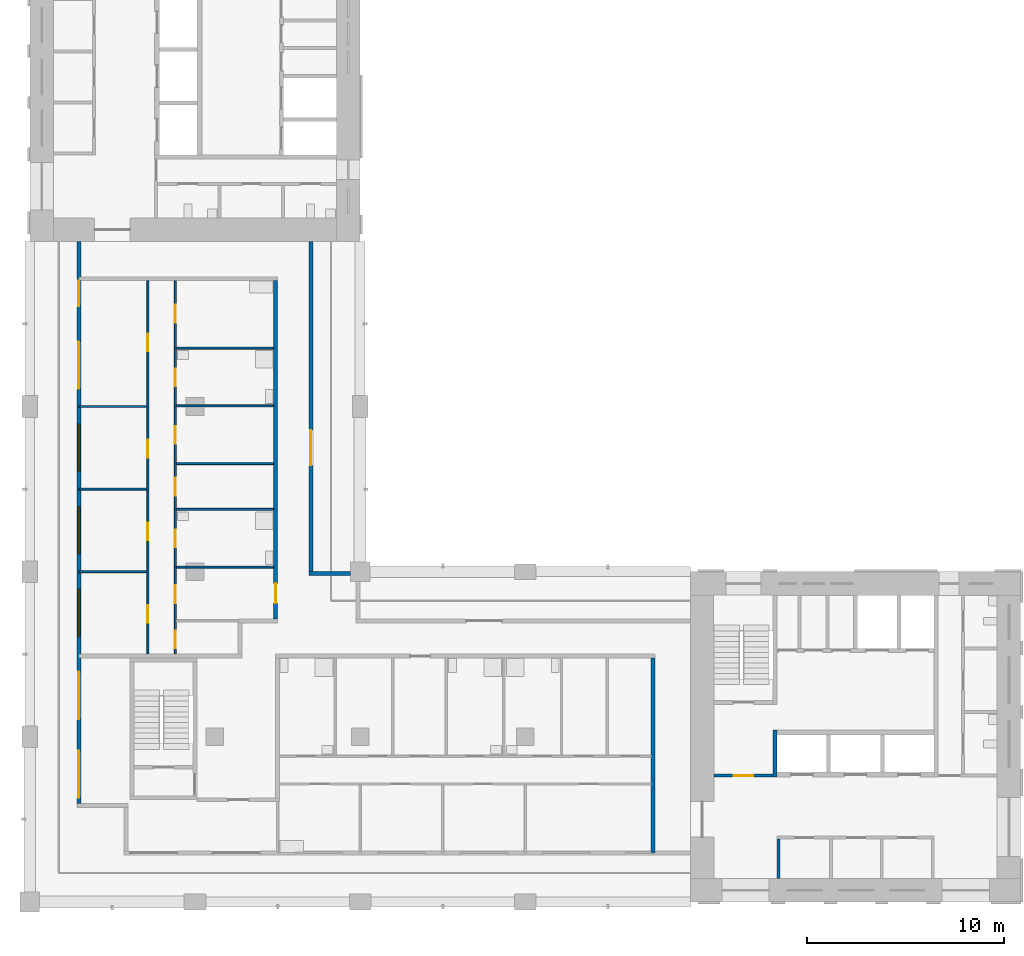
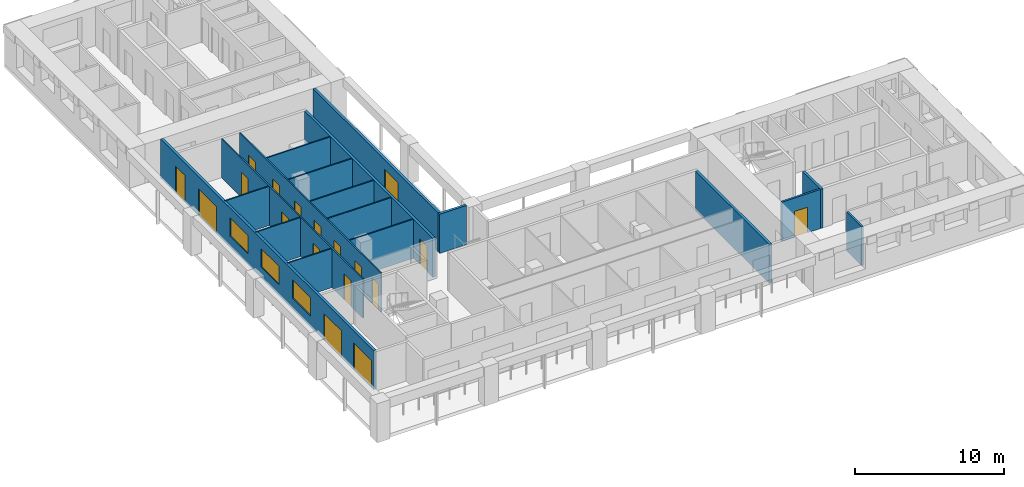
# One storey, part 3 of 10: 18 doors, 18 walls, 3 windows, 21 openings.
"""IFC4 building model written with IfcOpenShell, lengths in metres."""

import ifcopenshell
import ifcopenshell.guid

model = None  # the IFC model being written
_history = None  # IfcOwnerHistory: only IFC2X3 demands one
_inside = {}  # id of a spatial element -> (the spatial element, [elements in it])
_under = {}  # id of a project, library or spatial element -> (it, [spatial elements below it])
_declared = {}  # id of a project -> (the project, [libraries it declares])
_typed = {}  # id of a type object -> (the type object, [elements of that type])
_made_of = {}  # id of a material, layer set ... -> (it, [elements and type objects made of it])


def new_model(schema):
    """Start an empty IFC model of exactly this schema.

    Asked for "IFC4X3", IfcOpenShell would pick the latest addendum, in which some entities
    have other attributes; the version numbers below select the first issue.
    IFC2X3 requires an IfcOwnerHistory on every rooted entity: one is made here for all.
    """
    global model, _history
    if schema == "IFC4X3":
        model = ifcopenshell.file(schema_version=(4, 3, 0, 0))
    else:
        model = ifcopenshell.file(schema=schema)
    _inside.clear()
    _under.clear()
    _declared.clear()
    _typed.clear()
    _made_of.clear()
    _history = None
    if model.schema == "IFC2X3":
        org = make("IfcOrganization", Name="unknown")
        user = make(
            "IfcPersonAndOrganization",
            ThePerson=make("IfcPerson", FamilyName="unknown"),
            TheOrganization=org,
        )
        app = make(
            "IfcApplication",
            ApplicationDeveloper=org,
            Version="unknown",
            ApplicationFullName="unknown",
            ApplicationIdentifier="unknown",
        )
        _history = make(
            "IfcOwnerHistory",
            OwningUser=user,
            OwningApplication=app,
            ChangeAction="ADDED",
            CreationDate=0,
        )
    return model


def make(cls, **values):
    """One entity of the class cls with the attributes given. An attribute that is None is left unset."""
    return model.create_entity(
        cls, **{name: value for name, value in values.items() if value is not None}
    )


def rooted(cls, **values):
    """An entity with a GlobalId (a new one), such as an element, a storey or a relation."""
    return make(cls, GlobalId=ifcopenshell.guid.new(), OwnerHistory=_history, **values)


def si_unit(unit_type, name, prefix=None):
    """IfcSIUnit, for example si_unit("LENGTHUNIT", "METRE", prefix="MILLI")."""
    return make("IfcSIUnit", UnitType=unit_type, Prefix=prefix, Name=name)


def assignment(units):
    """IfcUnitAssignment: the units of a project."""
    return None if units is None else make("IfcUnitAssignment", Units=units)


def point(xyz):
    """IfcCartesianPoint."""
    return None if xyz is None else make("IfcCartesianPoint", Coordinates=xyz)


def direction(xyz):
    """IfcDirection."""
    return None if xyz is None else make("IfcDirection", DirectionRatios=xyz)


def frame(location, z_axis=None, x_axis=None):
    """IfcAxis2Placement3D, a coordinate frame: its origin and axes. An axis left out is left unset."""
    return make(
        "IfcAxis2Placement3D",
        Location=point(location),
        Axis=direction(z_axis),
        RefDirection=direction(x_axis),
    )


def frame_2d(location, x_axis=None):
    """IfcAxis2Placement2D, a coordinate frame in the plane: its origin and x axis."""
    return make(
        "IfcAxis2Placement2D", Location=point(location), RefDirection=direction(x_axis)
    )


def origin():
    """The frame at (0, 0, 0) with its axes left unset."""
    return frame((0.0, 0.0, 0.0))


def place(relative_to, where):
    """IfcLocalPlacement: puts the frame where relative to a parent placement (None: the world)."""
    return make(
        "IfcLocalPlacement", PlacementRelTo=relative_to, RelativePlacement=where
    )


def context(
    kind, dimensions, precision=None, world=None, true_north=None, identifier=None
):
    """IfcGeometricRepresentationContext, for example the 3D "Model" context."""
    return make(
        "IfcGeometricRepresentationContext",
        ContextIdentifier=identifier,
        ContextType=kind,
        CoordinateSpaceDimension=dimensions,
        Precision=precision,
        WorldCoordinateSystem=world,
        TrueNorth=true_north,
    )


def subcontext(parent, identifier, kind, view, scale=None):
    """IfcGeometricRepresentationSubContext, for example "Body" below "Model"."""
    return make(
        "IfcGeometricRepresentationSubContext",
        ContextIdentifier=identifier,
        ContextType=kind,
        ParentContext=parent,
        TargetScale=scale,
        TargetView=view,
    )


def project(units=None, contexts=None):
    """IfcProject with its units and contexts."""
    return rooted(
        "IfcProject",
        Name="project",
        RepresentationContexts=contexts,
        UnitsInContext=assignment(units),
    )


def spatial(cls, under=None, at=None, **own):
    """A site, building, storey or space (cls), placed at a placement, below another one or the project."""
    s = rooted(cls, ObjectPlacement=at, **own)
    if under is not None:
        _under.setdefault(under.id(), (under, []))[1].append(s)
    return s


def profile(cls, at=None, kind="AREA", **sizes):
    """A parametric profile (cls). Its sizes go by their IFC names, for example OverallWidth=200.0."""
    return make(cls, ProfileType=kind, Position=at, **sizes)


def rectangle(**sizes):
    """IfcRectangleProfileDef."""
    return profile("IfcRectangleProfileDef", **sizes)


def extrude(swept, where, along, depth):
    """IfcExtrudedAreaSolid: the profile swept, set in the frame where, extruded along a direction by depth."""
    return make(
        "IfcExtrudedAreaSolid",
        SweptArea=swept,
        Position=where,
        ExtrudedDirection=direction(along),
        Depth=depth,
    )


def shape(context_of_items, identifier, shape_type, items):
    """IfcShapeRepresentation: the items that make up one representation, for example the "Body"."""
    return make(
        "IfcShapeRepresentation",
        ContextOfItems=context_of_items,
        RepresentationIdentifier=identifier,
        RepresentationType=shape_type,
        Items=items,
    )


def material(Name=None, Category=None):
    """IfcMaterial."""
    return make("IfcMaterial", Name=Name, Category=Category)


def layer(
    of_material, thickness, ventilated=None, Name=None, Category=None, Priority=None
):
    """IfcMaterialLayer: one layer of a wall or slab, of a material (None: an air gap)."""
    return make(
        "IfcMaterialLayer",
        Material=of_material,
        LayerThickness=thickness,
        IsVentilated=ventilated,
        Name=Name,
        Category=Category,
        Priority=Priority,
    )


def layer_set(layers, Name=None):
    """IfcMaterialLayerSet."""
    return make("IfcMaterialLayerSet", MaterialLayers=layers, LayerSetName=Name)


def made_of(thing, what):
    """Note that an element or type object is made of a material, layer set ...; save() writes the relation."""
    if what is not None:
        _made_of.setdefault(what.id(), (what, []))[1].append(thing)
    return thing


def type_object(cls, material=None, **own):
    """A type object (cls), such as IfcWallType, which elements share."""
    return made_of(rooted(cls, **own), material)


def element(
    cls,
    number,
    at=None,
    inside=None,
    cuts=None,
    type_object=None,
    material=None,
    context=None,
    identifier="Body",
    shape_type=None,
    held_by="IfcProductDefinitionShape",
    body=None,
    shapes=None,
    **own,
):
    """One element of the class cls, such as IfcWall. Its Tag is "e" and its number.

    at: its placement. inside: the storey or other place that contains it. cuts: it is an
    opening in that element (IfcRelVoidsElement). A single representation is given by context,
    identifier, shape_type and body (its items); several are given by shapes. held_by: the class
    of the entity that holds the representations. save() writes the other relations.
    """
    e = rooted(cls, Tag="e%d" % number, ObjectPlacement=at, **own)
    if body is not None:
        shapes = [shape(context, identifier, shape_type, body)]
    if shapes is not None:
        e.Representation = make(held_by, Representations=shapes)
    if inside is not None:
        _inside.setdefault(inside.id(), (inside, []))[1].append(e)
    if cuts is not None:
        rooted(
            "IfcRelVoidsElement", RelatingBuildingElement=cuts, RelatedOpeningElement=e
        )
    if type_object is not None:
        _typed.setdefault(type_object.id(), (type_object, []))[1].append(e)
    return made_of(e, material)


def fill(opening, filler):
    """IfcRelFillsElement: the door or window that sits in an opening."""
    return rooted(
        "IfcRelFillsElement",
        RelatingOpeningElement=opening,
        RelatedBuildingElement=filler,
    )


def aggregate(whole, parts):
    """IfcRelAggregates: a whole, such as a stair, and the parts it consists of."""
    return rooted("IfcRelAggregates", RelatingObject=whole, RelatedObjects=parts)


def save(model, path):
    """Write the relations noted so far, then the file.

    IfcRelAggregates (storeys below a building ...), IfcRelContainedInSpatialStructure (elements
    in a storey), IfcRelDefinesByType, IfcRelAssociatesMaterial and IfcRelDeclares: one each for
    every whole, place, type object, material and project.
    """
    for whole, parts in _under.values():
        aggregate(whole, parts)
    for where, things in _inside.values():
        rooted(
            "IfcRelContainedInSpatialStructure",
            RelatedElements=things,
            RelatingStructure=where,
        )
    for kind, things in _typed.values():
        rooted("IfcRelDefinesByType", RelatedObjects=things, RelatingType=kind)
    for what, things in _made_of.values():
        rooted("IfcRelAssociatesMaterial", RelatedObjects=things, RelatingMaterial=what)
    for by, libraries in _declared.values():
        rooted("IfcRelDeclares", RelatingContext=by, RelatedDefinitions=libraries)
    model.write(path)


model = new_model("IFC4")

# Units and contexts
model_context = context("Model", 3, precision=1e-05, world=origin(), true_north=direction((0.0, 1.0)))
body_context = subcontext(model_context, "Body", "Model", "MODEL_VIEW")
ifc_project = project(units=[si_unit("LENGTHUNIT", "METRE"), si_unit("AREAUNIT", "SQUARE_METRE"), si_unit("VOLUMEUNIT", "CUBIC_METRE"), si_unit("PLANEANGLEUNIT", "RADIAN"), si_unit("MASSUNIT", "GRAM", prefix="KILO")], contexts=[model_context])

# Site, building, storey
site_placement = place(None, origin())
site = spatial("IfcSite", under=ifc_project, at=site_placement, CompositionType="ELEMENT")
building_placement = place(site_placement, origin())
building = spatial("IfcBuilding", under=site, at=building_placement, Name="Vermilion Gate Residences", CompositionType="ELEMENT")
storey_placement = place(building_placement, frame((0.0, 0.0, 273.699951171875)))
storey = spatial("IfcBuildingStorey", under=building, at=storey_placement, Name="L72", CompositionType="ELEMENT", Elevation=273.699951171875)

# Wall
ifc_material_1 = material(Name="Masonry blockwork", Category="masonry")
ifc_layer_1 = layer(ifc_material_1, 0.14990234375)
ifc_layer_set_1 = layer_set([ifc_layer_1], Name="BLOCKWORK PARTITION 150 EI 120")
wall_type_1 = type_object("IfcWallType", Name="BLOCKWORK PARTITION 150 EI 120", PredefinedType="PARTITIONING", material=ifc_layer_set_1)
wall_1_placement = place(storey_placement, frame((46.47509765625, 9.60009765625, 0.0), z_axis=(0.0, 0.0, 1.0), x_axis=(0.0, 1.0, 0.0)))
element("IfcWall", 1, at=wall_1_placement, inside=storey, type_object=wall_type_1, Name="Core room partition A72-RW-W", PredefinedType="PARTITIONING", context=body_context, shape_type="SweptSolid", body=[
    extrude(rectangle(XDim=2.0, YDim=0.14990234375, at=frame_2d((1.0, 0.0))), origin(), (0.0, 0.0, 1.0), 3.199951171875),
])

# Wall, opening, door
wall_2_placement = place(storey_placement, frame((43.199951171875, 14.824951171875, 0.0), z_axis=(0.0, 0.0, 1.0), x_axis=(1.0, 0.0, 0.0)))
wall_2 = element("IfcWall", 2, at=wall_2_placement, inside=storey, type_object=wall_type_1, Name="Core room partition A72-VW-S", PredefinedType="PARTITIONING", context=body_context, shape_type="SweptSolid", body=[
    extrude(rectangle(XDim=3.0, YDim=0.14990234375, at=frame_2d((1.5, 0.0))), origin(), (0.0, 0.0, 1.0), 3.199951171875),
])
opening_1_placement = place(wall_2_placement, frame((1.0, 0.0, 0.0)))
opening_1 = element("IfcOpeningElement", 3, at=opening_1_placement, cuts=wall_2, Name="Opening DK72013", PredefinedType="OPENING", context=body_context, shape_type="SweptSolid", body=[
    extrude(rectangle(XDim=1.0, YDim=2.10009765625, at=frame_2d((0.5, 1.050048828125))), frame((0.0, 0.0849609375, 0.0), z_axis=(0.0, -1.0, 0.0), x_axis=(1.0, 0.0, 0.0)), (0.0, 0.0, 1.0), 0.169921875),
])
ifc_material_2 = material(Name="Steel", Category="steel")
door_type_1 = type_object("IfcDoorType", Name="FIRE DOOR FD60 1000 X 2100", OperationType="SINGLE_SWING_LEFT", PredefinedType="DOOR", material=ifc_material_2)
door_1_placement = place(opening_1_placement, frame((1.0, 0.0, 0.0), z_axis=(0.0, 0.0, 1.0), x_axis=(-1.0, 0.0, 0.0)))
door_1 = element("IfcDoor", 4, at=door_1_placement, inside=storey, type_object=door_type_1, Name="Stair vestibule door A72", OperationType="SINGLE_SWING_RIGHT", OverallHeight=2.10009765625, OverallWidth=1.0, PredefinedType="DOOR", context=body_context, shape_type="SweptSolid", body=[
    extrude(rectangle(XDim=1.0, YDim=2.10009765625, at=frame_2d((0.5, 1.050048828125))), frame((0.0, 0.02490234375, 0.0), z_axis=(0.0, -1.0, 0.0), x_axis=(1.0, 0.0, 0.0)), (0.0, 0.0, 1.0), 0.050048828125),
])
fill(opening_1, door_1)

# Wall, openings, doors, windows
ifc_material_3 = material(Name="Insulated steel stud wall with terracotta rainscreen", Category="masonry")
ifc_layer_2 = layer(ifc_material_3, 0.199951171875)
ifc_layer_set_2 = layer_set([ifc_layer_2], Name="EXTERNAL WALL 200 TERRACOTTA RAINSCREEN")
wall_type_2 = type_object("IfcWallType", Name="EXTERNAL WALL 200 TERRACOTTA RAINSCREEN", PredefinedType="SOLIDWALL", material=ifc_layer_set_2)
wall_3_placement = place(storey_placement, frame((10.89990234375, 42.0, 0.0), z_axis=(0.0, 0.0, 1.0), x_axis=(0.0, -1.0, 0.0)))
wall_3 = element("IfcWall", 5, at=wall_3_placement, inside=storey, type_object=wall_type_2, Name="External wall", PredefinedType="SOLIDWALL", context=body_context, shape_type="SweptSolid", body=[
    extrude(rectangle(XDim=28.60009765625, YDim=0.199951171875, at=frame_2d((14.300048828125, 0.0))), origin(), (0.0, 0.0, 1.0), 3.199951171875),
])
opening_2_placement = place(wall_3_placement, frame((25.89990234375, 0.0, 0.0)))
opening_2 = element("IfcOpeningElement", 6, at=opening_2_placement, cuts=wall_3, Name="Opening DE72001", PredefinedType="OPENING", context=body_context, shape_type="SweptSolid", body=[
    extrude(rectangle(XDim=2.39990234375, YDim=2.199951171875, at=frame_2d((1.199951171875, 1.10009765625))), frame((0.0, 0.10986328125, 0.0), z_axis=(0.0, -1.0, 0.0), x_axis=(1.0, 0.0, 0.0)), (0.0, 0.0, 1.0), 0.219970703125),
])
opening_3_placement = place(wall_3_placement, frame((21.89990234375, 0.0, 0.0)))
opening_3 = element("IfcOpeningElement", 7, at=opening_3_placement, cuts=wall_3, Name="Opening DE72002", PredefinedType="OPENING", context=body_context, shape_type="SweptSolid", body=[
    extrude(rectangle(XDim=2.39990234375, YDim=2.199951171875, at=frame_2d((1.199951171875, 1.10009765625))), frame((0.0, 0.10986328125, 0.0), z_axis=(0.0, -1.0, 0.0), x_axis=(1.0, 0.0, 0.0)), (0.0, 0.0, 1.0), 0.219970703125),
])
opening_4_placement = place(wall_3_placement, frame((17.699951171875, 0.0, 0.89990234375)))
opening_4 = element("IfcOpeningElement", 8, at=opening_4_placement, cuts=wall_3, Name="Opening WE72003", PredefinedType="OPENING", context=body_context, shape_type="SweptSolid", body=[
    extrude(rectangle(XDim=2.39990234375, YDim=1.5, at=frame_2d((1.199951171875, 0.75))), frame((0.0, 0.10986328125, 0.0), z_axis=(0.0, -1.0, 0.0), x_axis=(1.0, 0.0, 0.0)), (0.0, 0.0, 1.0), 0.219970703125),
])
opening_5_placement = place(wall_3_placement, frame((13.5, 0.0, 0.89990234375)))
opening_5 = element("IfcOpeningElement", 9, at=opening_5_placement, cuts=wall_3, Name="Opening WE72004", PredefinedType="OPENING", context=body_context, shape_type="SweptSolid", body=[
    extrude(rectangle(XDim=2.39990234375, YDim=1.5, at=frame_2d((1.199951171875, 0.75))), frame((0.0, 0.10986328125, 0.0), z_axis=(0.0, -1.0, 0.0), x_axis=(1.0, 0.0, 0.0)), (0.0, 0.0, 1.0), 0.219970703125),
])
opening_6_placement = place(wall_3_placement, frame((9.300048828125, 0.0, 0.89990234375)))
opening_6 = element("IfcOpeningElement", 10, at=opening_6_placement, cuts=wall_3, Name="Opening WE72005", PredefinedType="OPENING", context=body_context, shape_type="SweptSolid", body=[
    extrude(rectangle(XDim=2.39990234375, YDim=1.5, at=frame_2d((1.199951171875, 0.75))), frame((0.0, 0.10986328125, 0.0), z_axis=(0.0, -1.0, 0.0), x_axis=(1.0, 0.0, 0.0)), (0.0, 0.0, 1.0), 0.219970703125),
])
opening_7_placement = place(wall_3_placement, frame((5.10009765625, 0.0, 0.0)))
opening_7 = element("IfcOpeningElement", 11, at=opening_7_placement, cuts=wall_3, Name="Opening DE72006", PredefinedType="OPENING", context=body_context, shape_type="SweptSolid", body=[
    extrude(rectangle(XDim=2.39990234375, YDim=2.199951171875, at=frame_2d((1.199951171875, 1.10009765625))), frame((0.0, 0.10986328125, 0.0), z_axis=(0.0, -1.0, 0.0), x_axis=(1.0, 0.0, 0.0)), (0.0, 0.0, 1.0), 0.219970703125),
])
opening_8_placement = place(wall_3_placement, frame((2.0, 0.0, 0.0)))
opening_8 = element("IfcOpeningElement", 12, at=opening_8_placement, cuts=wall_3, Name="Opening DE72007", PredefinedType="OPENING", context=body_context, shape_type="SweptSolid", body=[
    extrude(rectangle(XDim=1.300048828125, YDim=2.199951171875, at=frame_2d((0.64990234375, 1.10009765625))), frame((0.0, 0.10986328125, 0.0), z_axis=(0.0, -1.0, 0.0), x_axis=(1.0, 0.0, 0.0)), (0.0, 0.0, 1.0), 0.219970703125),
])
ifc_material_4 = material(Name="Aluminium and clear glass", Category="aluminium")
door_type_2 = type_object("IfcDoorType", Name="SLIDING GLAZED DOOR 1300 X 2200", OperationType="DOUBLE_DOOR_SLIDING", PredefinedType="DOOR", material=ifc_material_4)
door_2_placement = place(opening_8_placement, origin())
door_2 = element("IfcDoor", 13, at=door_2_placement, inside=storey, type_object=door_type_2, Name="Loggia sliding door", OperationType="DOUBLE_DOOR_SLIDING", OverallHeight=2.199951171875, OverallWidth=1.300048828125, PredefinedType="DOOR", context=body_context, shape_type="SweptSolid", body=[
    extrude(rectangle(XDim=1.300048828125, YDim=2.199951171875, at=frame_2d((0.64990234375, 1.10009765625))), frame((0.0, 0.02490234375, 0.0), z_axis=(0.0, -1.0, 0.0), x_axis=(1.0, 0.0, 0.0)), (0.0, 0.0, 1.0), 0.050048828125),
])
fill(opening_8, door_2)
ifc_material_5 = material(Name="Aluminium and clear glass", Category="aluminium")
door_type_3 = type_object("IfcDoorType", Name="SLIDING GLAZED DOOR 2400 X 2200", OperationType="DOUBLE_DOOR_SLIDING", PredefinedType="DOOR", material=ifc_material_5)
door_3_placement = place(opening_2_placement, origin())
door_3 = element("IfcDoor", 14, at=door_3_placement, inside=storey, type_object=door_type_3, Name="Loggia sliding door", OperationType="DOUBLE_DOOR_SLIDING", OverallHeight=2.199951171875, OverallWidth=2.39990234375, PredefinedType="DOOR", context=body_context, shape_type="SweptSolid", body=[
    extrude(rectangle(XDim=2.39990234375, YDim=2.199951171875, at=frame_2d((1.199951171875, 1.10009765625))), frame((0.0, 0.02490234375, 0.0), z_axis=(0.0, -1.0, 0.0), x_axis=(1.0, 0.0, 0.0)), (0.0, 0.0, 1.0), 0.050048828125),
])
fill(opening_2, door_3)
door_4_placement = place(opening_3_placement, origin())
door_4 = element("IfcDoor", 15, at=door_4_placement, inside=storey, type_object=door_type_3, Name="Loggia sliding door", OperationType="DOUBLE_DOOR_SLIDING", OverallHeight=2.199951171875, OverallWidth=2.39990234375, PredefinedType="DOOR", context=body_context, shape_type="SweptSolid", body=[
    extrude(rectangle(XDim=2.39990234375, YDim=2.199951171875, at=frame_2d((1.199951171875, 1.10009765625))), frame((0.0, 0.02490234375, 0.0), z_axis=(0.0, -1.0, 0.0), x_axis=(1.0, 0.0, 0.0)), (0.0, 0.0, 1.0), 0.050048828125),
])
fill(opening_3, door_4)
door_5_placement = place(opening_7_placement, origin())
door_5 = element("IfcDoor", 16, at=door_5_placement, inside=storey, type_object=door_type_3, Name="Loggia sliding door", OperationType="DOUBLE_DOOR_SLIDING", OverallHeight=2.199951171875, OverallWidth=2.39990234375, PredefinedType="DOOR", context=body_context, shape_type="SweptSolid", body=[
    extrude(rectangle(XDim=2.39990234375, YDim=2.199951171875, at=frame_2d((1.199951171875, 1.10009765625))), frame((0.0, 0.02490234375, 0.0), z_axis=(0.0, -1.0, 0.0), x_axis=(1.0, 0.0, 0.0)), (0.0, 0.0, 1.0), 0.050048828125),
])
fill(opening_7, door_5)
ifc_material_6 = material(Name="Aluminium and clear glass", Category="aluminium")
window_type = type_object("IfcWindowType", Name="WINDOW 2400 X 1500", PartitioningType="SINGLE_PANEL", PredefinedType="WINDOW", material=ifc_material_6)
window_1_placement = place(opening_4_placement, origin())
window_1 = element("IfcWindow", 17, at=window_1_placement, inside=storey, type_object=window_type, Name="Window", OverallHeight=1.5, OverallWidth=2.39990234375, PartitioningType="SINGLE_PANEL", PredefinedType="WINDOW", context=body_context, shape_type="SweptSolid", body=[
    extrude(rectangle(XDim=2.39990234375, YDim=1.5, at=frame_2d((1.199951171875, 0.75))), frame((0.0, 0.030029296875, 0.0), z_axis=(0.0, -1.0, 0.0), x_axis=(1.0, 0.0, 0.0)), (0.0, 0.0, 1.0), 0.06005859375),
])
fill(opening_4, window_1)
window_2_placement = place(opening_5_placement, origin())
window_2 = element("IfcWindow", 18, at=window_2_placement, inside=storey, type_object=window_type, Name="Window", OverallHeight=1.5, OverallWidth=2.39990234375, PartitioningType="SINGLE_PANEL", PredefinedType="WINDOW", context=body_context, shape_type="SweptSolid", body=[
    extrude(rectangle(XDim=2.39990234375, YDim=1.5, at=frame_2d((1.199951171875, 0.75))), frame((0.0, 0.030029296875, 0.0), z_axis=(0.0, -1.0, 0.0), x_axis=(1.0, 0.0, 0.0)), (0.0, 0.0, 1.0), 0.06005859375),
])
fill(opening_5, window_2)
window_3_placement = place(opening_6_placement, origin())
window_3 = element("IfcWindow", 19, at=window_3_placement, inside=storey, type_object=window_type, Name="Window", OverallHeight=1.5, OverallWidth=2.39990234375, PartitioningType="SINGLE_PANEL", PredefinedType="WINDOW", context=body_context, shape_type="SweptSolid", body=[
    extrude(rectangle(XDim=2.39990234375, YDim=1.5, at=frame_2d((1.199951171875, 0.75))), frame((0.0, 0.030029296875, 0.0), z_axis=(0.0, -1.0, 0.0), x_axis=(1.0, 0.0, 0.0)), (0.0, 0.0, 1.0), 0.06005859375),
])
fill(opening_6, window_3)

# Wall
wall_4_placement = place(storey_placement, frame((24.699951171875, 25.10009765625, 0.0), z_axis=(0.0, 0.0, 1.0), x_axis=(-1.0, 0.0, 0.0)))
element("IfcWall", 20, at=wall_4_placement, inside=storey, type_object=wall_type_2, Name="External wall", PredefinedType="SOLIDWALL", context=body_context, shape_type="SweptSolid", body=[
    extrude(rectangle(XDim=2.099853515625, YDim=0.199951171875, at=frame_2d((1.0498046875, 0.0))), origin(), (0.0, 0.0, 1.0), 3.199951171875),
])

# Wall, opening, door
wall_5_placement = place(storey_placement, frame((22.699951171875, 25.199951171875, 0.0), z_axis=(0.0, 0.0, 1.0), x_axis=(0.0, 1.0, 0.0)))
wall_5 = element("IfcWall", 21, at=wall_5_placement, inside=storey, type_object=wall_type_2, Name="External wall", PredefinedType="SOLIDWALL", context=body_context, shape_type="SweptSolid", body=[
    extrude(rectangle(XDim=16.800048828125, YDim=0.199951171875, at=frame_2d((8.39990234375, 0.0))), origin(), (0.0, 0.0, 1.0), 3.199951171875),
])
opening_9_placement = place(wall_5_placement, frame((5.39990234375, 0.0, 0.0)))
opening_9 = element("IfcOpeningElement", 22, at=opening_9_placement, cuts=wall_5, Name="Opening DE72016", PredefinedType="OPENING", context=body_context, shape_type="SweptSolid", body=[
    extrude(rectangle(XDim=1.800048828125, YDim=2.39990234375, at=frame_2d((0.89990234375, 1.199951171875))), frame((0.0, 0.10986328125, 0.0), z_axis=(0.0, -1.0, 0.0), x_axis=(1.0, 0.0, 0.0)), (0.0, 0.0, 1.0), 0.219970703125),
])
ifc_material_7 = material(Name="Aluminium and clear glass", Category="aluminium")
door_type_4 = type_object("IfcDoorType", Name="GLAZED EXTERNAL DOOR 1800 X 2400", OperationType="DOUBLE_DOOR_SINGLE_SWING", PredefinedType="DOOR", material=ifc_material_7)
door_6_placement = place(opening_9_placement, frame((1.800048828125, 0.0, 0.0), z_axis=(0.0, 0.0, 1.0), x_axis=(-1.0, 0.0, 0.0)))
door_6 = element("IfcDoor", 23, at=door_6_placement, inside=storey, type_object=door_type_4, Name="Gallery door", OperationType="DOUBLE_DOOR_SINGLE_SWING", OverallHeight=2.39990234375, OverallWidth=1.800048828125, PredefinedType="DOOR", context=body_context, shape_type="SweptSolid", body=[
    extrude(rectangle(XDim=1.800048828125, YDim=2.39990234375, at=frame_2d((0.89990234375, 1.199951171875))), frame((0.0, 0.02490234375, 0.0), z_axis=(0.0, -1.0, 0.0), x_axis=(1.0, 0.0, 0.0)), (0.0, 0.0, 1.0), 0.050048828125),
])
fill(opening_9, door_6)

# Walls
ifc_material_8 = material(Name="Plasterboard on steel studs", Category="steel")
ifc_layer_3 = layer(ifc_material_8, 0.10009765625)
ifc_layer_set_3 = layer_set([ifc_layer_3], Name="PARTITION 100")
wall_type_3 = type_object("IfcWallType", Name="PARTITION 100", PredefinedType="PARTITIONING", material=ifc_layer_set_3)
wall_6_placement = place(storey_placement, frame((10.89990234375, 25.199951171875, 0.0), z_axis=(0.0, 0.0, 1.0), x_axis=(1.0, 0.0, 0.0)))
element("IfcWall", 24, at=wall_6_placement, inside=storey, type_object=wall_type_3, Name="Partition", PredefinedType="PARTITIONING", context=body_context, shape_type="SweptSolid", body=[
    extrude(rectangle(XDim=3.4501953125, YDim=0.10009765625, at=frame_2d((1.72509765625, 0.0))), origin(), (0.0, 0.0, 1.0), 3.199951171875),
])
for number, where, z_axis, x_axis, name in (
    (25, (15.85009765625, 25.43310546875, 0.0), (0.0, 0.0, 1.0), (1.0, 0.0, 0.0), "Partition"),
    (26, (15.85009765625, 28.366943359375, 0.0), (0.0, 0.0, 1.0), (1.0, 0.0, 0.0), "Partition"),
):
    element("IfcWall", number, at=place(storey_placement, frame(where, z_axis=z_axis, x_axis=x_axis)), inside=storey, type_object=wall_type_3, Name=name, PredefinedType="PARTITIONING", context=body_context, shape_type="SweptSolid", body=[
        extrude(rectangle(XDim=4.949951171875, YDim=0.10009765625, at=frame_2d((2.47509765625, 0.0))), origin(), (0.0, 0.0, 1.0), 3.199951171875),
    ])
wall_7_placement = place(storey_placement, frame((10.89990234375, 29.39990234375, 0.0), z_axis=(0.0, 0.0, 1.0), x_axis=(1.0, 0.0, 0.0)))
element("IfcWall", 27, at=wall_7_placement, inside=storey, type_object=wall_type_3, Name="Partition", PredefinedType="PARTITIONING", context=body_context, shape_type="SweptSolid", body=[
    extrude(rectangle(XDim=3.4501953125, YDim=0.10009765625, at=frame_2d((1.72509765625, 0.0))), origin(), (0.0, 0.0, 1.0), 3.199951171875),
])
wall_8_placement = place(storey_placement, frame((15.85009765625, 30.699951171875, 0.0), z_axis=(0.0, 0.0, 1.0), x_axis=(1.0, 0.0, 0.0)))
element("IfcWall", 28, at=wall_8_placement, inside=storey, type_object=wall_type_3, Name="Partition", PredefinedType="PARTITIONING", context=body_context, shape_type="SweptSolid", body=[
    extrude(rectangle(XDim=4.949951171875, YDim=0.10009765625, at=frame_2d((2.47509765625, 0.0))), origin(), (0.0, 0.0, 1.0), 3.199951171875),
])
wall_9_placement = place(storey_placement, frame((10.89990234375, 33.60009765625, 0.0), z_axis=(0.0, 0.0, 1.0), x_axis=(1.0, 0.0, 0.0)))
element("IfcWall", 29, at=wall_9_placement, inside=storey, type_object=wall_type_3, Name="Partition", PredefinedType="PARTITIONING", context=body_context, shape_type="SweptSolid", body=[
    extrude(rectangle(XDim=3.4501953125, YDim=0.10009765625, at=frame_2d((1.72509765625, 0.0))), origin(), (0.0, 0.0, 1.0), 3.199951171875),
])
for number, where, z_axis, x_axis, name in (
    (30, (15.85009765625, 33.633056640625, 0.0), (0.0, 0.0, 1.0), (1.0, 0.0, 0.0), "Partition"),
    (31, (15.85009765625, 36.56689453125, 0.0), (0.0, 0.0, 1.0), (1.0, 0.0, 0.0), "Partition"),
):
    element("IfcWall", number, at=place(storey_placement, frame(where, z_axis=z_axis, x_axis=x_axis)), inside=storey, type_object=wall_type_3, Name=name, PredefinedType="PARTITIONING", context=body_context, shape_type="SweptSolid", body=[
        extrude(rectangle(XDim=4.949951171875, YDim=0.10009765625, at=frame_2d((2.47509765625, 0.0))), origin(), (0.0, 0.0, 1.0), 3.199951171875),
    ])

# Wall, openings, doors
wall_10_placement = place(storey_placement, frame((14.39990234375, 21.0, 0.0), z_axis=(0.0, 0.0, 1.0), x_axis=(0.0, 1.0, 0.0)))
wall_10 = element("IfcWall", 32, at=wall_10_placement, inside=storey, type_object=wall_type_3, Name="Partition", PredefinedType="PARTITIONING", context=body_context, shape_type="SweptSolid", body=[
    extrude(rectangle(XDim=19.0, YDim=0.10009765625, at=frame_2d((9.5, 0.0))), origin(), (0.0, 0.0, 1.0), 3.199951171875),
])
opening_10_placement = place(wall_10_placement, frame((1.60009765625, 0.0, 0.0)))
opening_10 = element("IfcOpeningElement", 33, at=opening_10_placement, cuts=wall_10, Name="Opening DA70014", PredefinedType="OPENING", context=body_context, shape_type="SweptSolid", body=[
    extrude(rectangle(XDim=0.89990234375, YDim=2.10009765625, at=frame_2d((0.449951171875, 1.050048828125))), frame((0.0, 0.06005859375, 0.0), z_axis=(0.0, -1.0, 0.0), x_axis=(1.0, 0.0, 0.0)), (0.0, 0.0, 1.0), 0.1201171875),
])
opening_11_placement = place(wall_10_placement, frame((5.800048828125, 0.0, 0.0)))
opening_11 = element("IfcOpeningElement", 34, at=opening_11_placement, cuts=wall_10, Name="Opening DA70015", PredefinedType="OPENING", context=body_context, shape_type="SweptSolid", body=[
    extrude(rectangle(XDim=0.89990234375, YDim=2.10009765625, at=frame_2d((0.449951171875, 1.050048828125))), frame((0.0, 0.06005859375, 0.0), z_axis=(0.0, -1.0, 0.0), x_axis=(1.0, 0.0, 0.0)), (0.0, 0.0, 1.0), 0.1201171875),
])
opening_12_placement = place(wall_10_placement, frame((10.0, 0.0, 0.0)))
opening_12 = element("IfcOpeningElement", 35, at=opening_12_placement, cuts=wall_10, Name="Opening DA70016", PredefinedType="OPENING", context=body_context, shape_type="SweptSolid", body=[
    extrude(rectangle(XDim=0.89990234375, YDim=2.10009765625, at=frame_2d((0.449951171875, 1.050048828125))), frame((0.0, 0.06005859375, 0.0), z_axis=(0.0, -1.0, 0.0), x_axis=(1.0, 0.0, 0.0)), (0.0, 0.0, 1.0), 0.1201171875),
])
opening_13_placement = place(wall_10_placement, frame((15.39990234375, 0.0, 0.0)))
opening_13 = element("IfcOpeningElement", 36, at=opening_13_placement, cuts=wall_10, Name="Opening DA70017", PredefinedType="OPENING", context=body_context, shape_type="SweptSolid", body=[
    extrude(rectangle(XDim=0.89990234375, YDim=2.10009765625, at=frame_2d((0.449951171875, 1.050048828125))), frame((0.0, 0.06005859375, 0.0), z_axis=(0.0, -1.0, 0.0), x_axis=(1.0, 0.0, 0.0)), (0.0, 0.0, 1.0), 0.1201171875),
])
ifc_material_9 = material(Name="Timber", Category="wood")
door_type_5 = type_object("IfcDoorType", Name="INTERIOR DOOR 900 X 2100", OperationType="SINGLE_SWING_LEFT", PredefinedType="DOOR", material=ifc_material_9)
door_7_placement = place(opening_10_placement, origin())
door_7 = element("IfcDoor", 37, at=door_7_placement, inside=storey, type_object=door_type_5, Name="Interior door", OperationType="SINGLE_SWING_LEFT", OverallHeight=2.10009765625, OverallWidth=0.89990234375, PredefinedType="DOOR", context=body_context, shape_type="SweptSolid", body=[
    extrude(rectangle(XDim=0.89990234375, YDim=2.10009765625, at=frame_2d((0.449951171875, 1.050048828125))), frame((0.0, 0.02490234375, 0.0), z_axis=(0.0, -1.0, 0.0), x_axis=(1.0, 0.0, 0.0)), (0.0, 0.0, 1.0), 0.050048828125),
])
fill(opening_10, door_7)
door_8_placement = place(opening_11_placement, origin())
door_8 = element("IfcDoor", 38, at=door_8_placement, inside=storey, type_object=door_type_5, Name="Interior door", OperationType="SINGLE_SWING_LEFT", OverallHeight=2.10009765625, OverallWidth=0.89990234375, PredefinedType="DOOR", context=body_context, shape_type="SweptSolid", body=[
    extrude(rectangle(XDim=0.89990234375, YDim=2.10009765625, at=frame_2d((0.449951171875, 1.050048828125))), frame((0.0, 0.02490234375, 0.0), z_axis=(0.0, -1.0, 0.0), x_axis=(1.0, 0.0, 0.0)), (0.0, 0.0, 1.0), 0.050048828125),
])
fill(opening_11, door_8)
door_9_placement = place(opening_12_placement, origin())
door_9 = element("IfcDoor", 39, at=door_9_placement, inside=storey, type_object=door_type_5, Name="Interior door", OperationType="SINGLE_SWING_LEFT", OverallHeight=2.10009765625, OverallWidth=0.89990234375, PredefinedType="DOOR", context=body_context, shape_type="SweptSolid", body=[
    extrude(rectangle(XDim=0.89990234375, YDim=2.10009765625, at=frame_2d((0.449951171875, 1.050048828125))), frame((0.0, 0.02490234375, 0.0), z_axis=(0.0, -1.0, 0.0), x_axis=(1.0, 0.0, 0.0)), (0.0, 0.0, 1.0), 0.050048828125),
])
fill(opening_12, door_9)
door_10_placement = place(opening_13_placement, origin())
door_10 = element("IfcDoor", 40, at=door_10_placement, inside=storey, type_object=door_type_5, Name="Interior door", OperationType="SINGLE_SWING_RIGHT", OverallHeight=2.10009765625, OverallWidth=0.89990234375, PredefinedType="DOOR", context=body_context, shape_type="SweptSolid", body=[
    extrude(rectangle(XDim=0.89990234375, YDim=2.10009765625, at=frame_2d((0.449951171875, 1.050048828125))), frame((0.0, 0.02490234375, 0.0), z_axis=(0.0, -1.0, 0.0), x_axis=(1.0, 0.0, 0.0)), (0.0, 0.0, 1.0), 0.050048828125),
])
fill(opening_13, door_10)

wall_11_placement = place(storey_placement, frame((15.800048828125, 21.0, 0.0), z_axis=(0.0, 0.0, 1.0), x_axis=(0.0, 1.0, 0.0)))
wall_11 = element("IfcWall", 41, at=wall_11_placement, inside=storey, type_object=wall_type_3, Name="Partition", PredefinedType="PARTITIONING", context=body_context, shape_type="SweptSolid", body=[
    extrude(rectangle(XDim=19.0, YDim=0.10009765625, at=frame_2d((9.5, 0.0))), origin(), (0.0, 0.0, 1.0), 3.199951171875),
])
opening_14_placement = place(wall_11_placement, frame((2.60009765625, 0.0, 0.0)))
opening_14 = element("IfcOpeningElement", 42, at=opening_14_placement, cuts=wall_11, Name="Opening DA70018", PredefinedType="OPENING", context=body_context, shape_type="SweptSolid", body=[
    extrude(rectangle(XDim=0.89990234375, YDim=2.10009765625, at=frame_2d((0.449951171875, 1.050048828125))), frame((0.0, 0.06005859375, 0.0), z_axis=(0.0, -1.0, 0.0), x_axis=(1.0, 0.0, 0.0)), (0.0, 0.0, 1.0), 0.1201171875),
])
opening_15_placement = place(wall_11_placement, frame((0.300048828125, 0.0, 0.0)))
opening_15 = element("IfcOpeningElement", 43, at=opening_15_placement, cuts=wall_11, Name="Opening DA70019", PredefinedType="OPENING", context=body_context, shape_type="SweptSolid", body=[
    extrude(rectangle(XDim=0.89990234375, YDim=2.10009765625, at=frame_2d((0.449951171875, 1.050048828125))), frame((0.0, 0.06005859375, 0.0), z_axis=(0.0, -1.0, 0.0), x_axis=(1.0, 0.0, 0.0)), (0.0, 0.0, 1.0), 0.1201171875),
])
opening_16_placement = place(wall_11_placement, frame((5.43310546875, 0.0, 0.0)))
opening_16 = element("IfcOpeningElement", 44, at=opening_16_placement, cuts=wall_11, Name="Opening DA70020", PredefinedType="OPENING", context=body_context, shape_type="SweptSolid", body=[
    extrude(rectangle(XDim=0.89990234375, YDim=2.10009765625, at=frame_2d((0.449951171875, 1.050048828125))), frame((0.0, 0.06005859375, 0.0), z_axis=(0.0, -1.0, 0.0), x_axis=(1.0, 0.0, 0.0)), (0.0, 0.0, 1.0), 0.1201171875),
])
opening_17_placement = place(wall_11_placement, frame((8.06689453125, 0.0, 0.0)))
opening_17 = element("IfcOpeningElement", 45, at=opening_17_placement, cuts=wall_11, Name="Opening DA70021", PredefinedType="OPENING", context=body_context, shape_type="SweptSolid", body=[
    extrude(rectangle(XDim=0.89990234375, YDim=2.10009765625, at=frame_2d((0.449951171875, 1.050048828125))), frame((0.0, 0.06005859375, 0.0), z_axis=(0.0, -1.0, 0.0), x_axis=(1.0, 0.0, 0.0)), (0.0, 0.0, 1.0), 0.1201171875),
])
opening_18_placement = place(wall_11_placement, frame((10.699951171875, 0.0, 0.0)))
opening_18 = element("IfcOpeningElement", 46, at=opening_18_placement, cuts=wall_11, Name="Opening DA70022", PredefinedType="OPENING", context=body_context, shape_type="SweptSolid", body=[
    extrude(rectangle(XDim=0.89990234375, YDim=2.10009765625, at=frame_2d((0.449951171875, 1.050048828125))), frame((0.0, 0.06005859375, 0.0), z_axis=(0.0, -1.0, 0.0), x_axis=(1.0, 0.0, 0.0)), (0.0, 0.0, 1.0), 0.1201171875),
])
opening_19_placement = place(wall_11_placement, frame((13.633056640625, 0.0, 0.0)))
opening_19 = element("IfcOpeningElement", 47, at=opening_19_placement, cuts=wall_11, Name="Opening DA70023", PredefinedType="OPENING", context=body_context, shape_type="SweptSolid", body=[
    extrude(rectangle(XDim=0.89990234375, YDim=2.10009765625, at=frame_2d((0.449951171875, 1.050048828125))), frame((0.0, 0.06005859375, 0.0), z_axis=(0.0, -1.0, 0.0), x_axis=(1.0, 0.0, 0.0)), (0.0, 0.0, 1.0), 0.1201171875),
])
opening_20_placement = place(wall_11_placement, frame((16.866943359375, 0.0, 0.0)))
opening_20 = element("IfcOpeningElement", 48, at=opening_20_placement, cuts=wall_11, Name="Opening DA70024", PredefinedType="OPENING", context=body_context, shape_type="SweptSolid", body=[
    extrude(rectangle(XDim=0.89990234375, YDim=2.10009765625, at=frame_2d((0.449951171875, 1.050048828125))), frame((0.0, 0.06005859375, 0.0), z_axis=(0.0, -1.0, 0.0), x_axis=(1.0, 0.0, 0.0)), (0.0, 0.0, 1.0), 0.1201171875),
])
door_11_placement = place(opening_14_placement, frame((0.89990234375, 0.0, 0.0), z_axis=(0.0, 0.0, 1.0), x_axis=(-1.0, 0.0, 0.0)))
door_11 = element("IfcDoor", 49, at=door_11_placement, inside=storey, type_object=door_type_5, Name="Interior door", OperationType="SINGLE_SWING_RIGHT", OverallHeight=2.10009765625, OverallWidth=0.89990234375, PredefinedType="DOOR", context=body_context, shape_type="SweptSolid", body=[
    extrude(rectangle(XDim=0.89990234375, YDim=2.10009765625, at=frame_2d((0.449951171875, 1.050048828125))), frame((0.0, 0.02490234375, 0.0), z_axis=(0.0, -1.0, 0.0), x_axis=(1.0, 0.0, 0.0)), (0.0, 0.0, 1.0), 0.050048828125),
])
fill(opening_14, door_11)
door_12_placement = place(opening_15_placement, frame((0.89990234375, 0.0, 0.0), z_axis=(0.0, 0.0, 1.0), x_axis=(-1.0, 0.0, 0.0)))
door_12 = element("IfcDoor", 50, at=door_12_placement, inside=storey, type_object=door_type_5, Name="Interior door", OperationType="SINGLE_SWING_RIGHT", OverallHeight=2.10009765625, OverallWidth=0.89990234375, PredefinedType="DOOR", context=body_context, shape_type="SweptSolid", body=[
    extrude(rectangle(XDim=0.89990234375, YDim=2.10009765625, at=frame_2d((0.449951171875, 1.050048828125))), frame((0.0, 0.02490234375, 0.0), z_axis=(0.0, -1.0, 0.0), x_axis=(1.0, 0.0, 0.0)), (0.0, 0.0, 1.0), 0.050048828125),
])
fill(opening_15, door_12)
door_13_placement = place(opening_16_placement, frame((0.89990234375, 0.0, 0.0), z_axis=(0.0, 0.0, 1.0), x_axis=(-1.0, 0.0, 0.0)))
door_13 = element("IfcDoor", 51, at=door_13_placement, inside=storey, type_object=door_type_5, Name="Interior door", OperationType="SINGLE_SWING_LEFT", OverallHeight=2.10009765625, OverallWidth=0.89990234375, PredefinedType="DOOR", context=body_context, shape_type="SweptSolid", body=[
    extrude(rectangle(XDim=0.89990234375, YDim=2.10009765625, at=frame_2d((0.449951171875, 1.050048828125))), frame((0.0, 0.02490234375, 0.0), z_axis=(0.0, -1.0, 0.0), x_axis=(1.0, 0.0, 0.0)), (0.0, 0.0, 1.0), 0.050048828125),
])
fill(opening_16, door_13)
door_14_placement = place(opening_17_placement, frame((0.89990234375, 0.0, 0.0), z_axis=(0.0, 0.0, 1.0), x_axis=(-1.0, 0.0, 0.0)))
door_14 = element("IfcDoor", 52, at=door_14_placement, inside=storey, type_object=door_type_5, Name="Interior door", OperationType="SINGLE_SWING_RIGHT", OverallHeight=2.10009765625, OverallWidth=0.89990234375, PredefinedType="DOOR", context=body_context, shape_type="SweptSolid", body=[
    extrude(rectangle(XDim=0.89990234375, YDim=2.10009765625, at=frame_2d((0.449951171875, 1.050048828125))), frame((0.0, 0.02490234375, 0.0), z_axis=(0.0, -1.0, 0.0), x_axis=(1.0, 0.0, 0.0)), (0.0, 0.0, 1.0), 0.050048828125),
])
fill(opening_17, door_14)
door_15_placement = place(opening_18_placement, frame((0.89990234375, 0.0, 0.0), z_axis=(0.0, 0.0, 1.0), x_axis=(-1.0, 0.0, 0.0)))
door_15 = element("IfcDoor", 53, at=door_15_placement, inside=storey, type_object=door_type_5, Name="Interior door", OperationType="SINGLE_SWING_RIGHT", OverallHeight=2.10009765625, OverallWidth=0.89990234375, PredefinedType="DOOR", context=body_context, shape_type="SweptSolid", body=[
    extrude(rectangle(XDim=0.89990234375, YDim=2.10009765625, at=frame_2d((0.449951171875, 1.050048828125))), frame((0.0, 0.02490234375, 0.0), z_axis=(0.0, -1.0, 0.0), x_axis=(1.0, 0.0, 0.0)), (0.0, 0.0, 1.0), 0.050048828125),
])
fill(opening_18, door_15)
door_16_placement = place(opening_19_placement, frame((0.89990234375, 0.0, 0.0), z_axis=(0.0, 0.0, 1.0), x_axis=(-1.0, 0.0, 0.0)))
door_16 = element("IfcDoor", 54, at=door_16_placement, inside=storey, type_object=door_type_5, Name="Interior door", OperationType="SINGLE_SWING_LEFT", OverallHeight=2.10009765625, OverallWidth=0.89990234375, PredefinedType="DOOR", context=body_context, shape_type="SweptSolid", body=[
    extrude(rectangle(XDim=0.89990234375, YDim=2.10009765625, at=frame_2d((0.449951171875, 1.050048828125))), frame((0.0, 0.02490234375, 0.0), z_axis=(0.0, -1.0, 0.0), x_axis=(1.0, 0.0, 0.0)), (0.0, 0.0, 1.0), 0.050048828125),
])
fill(opening_19, door_16)
door_17_placement = place(opening_20_placement, frame((0.89990234375, 0.0, 0.0), z_axis=(0.0, 0.0, 1.0), x_axis=(-1.0, 0.0, 0.0)))
door_17 = element("IfcDoor", 55, at=door_17_placement, inside=storey, type_object=door_type_5, Name="Interior door", OperationType="SINGLE_SWING_LEFT", OverallHeight=2.10009765625, OverallWidth=0.89990234375, PredefinedType="DOOR", context=body_context, shape_type="SweptSolid", body=[
    extrude(rectangle(XDim=0.89990234375, YDim=2.10009765625, at=frame_2d((0.449951171875, 1.050048828125))), frame((0.0, 0.02490234375, 0.0), z_axis=(0.0, -1.0, 0.0), x_axis=(1.0, 0.0, 0.0)), (0.0, 0.0, 1.0), 0.050048828125),
])
fill(opening_20, door_17)

# Wall, opening, door
ifc_material_10 = material(Name="Fire-rated plasterboard on steel studs", Category="steel")
ifc_layer_4 = layer(ifc_material_10, 0.199951171875)
ifc_layer_set_4 = layer_set([ifc_layer_4], Name="PARTY WALL 200 EI 120")
wall_type_4 = type_object("IfcWallType", Name="PARTY WALL 200 EI 120", PredefinedType="PARTITIONING", material=ifc_layer_set_4)
wall_12_placement = place(storey_placement, frame((20.89990234375, 22.800048828125, 0.0), z_axis=(0.0, 0.0, 1.0), x_axis=(0.0, 1.0, 0.0)))
wall_12 = element("IfcWall", 56, at=wall_12_placement, inside=storey, type_object=wall_type_4, Name="Party and corridor wall", PredefinedType="PARTITIONING", context=body_context, shape_type="SweptSolid", body=[
    extrude(rectangle(XDim=17.199951171875, YDim=0.199951171875, at=frame_2d((8.60009765625, 0.0))), origin(), (0.0, 0.0, 1.0), 3.199951171875),
])
opening_21_placement = place(wall_12_placement, frame((0.800048828125, 0.0, 0.0)))
opening_21 = element("IfcOpeningElement", 57, at=opening_21_placement, cuts=wall_12, Name="Opening DA70025", PredefinedType="OPENING", context=body_context, shape_type="SweptSolid", body=[
    extrude(rectangle(XDim=1.0, YDim=2.10009765625, at=frame_2d((0.5, 1.050048828125))), frame((0.0, 0.10986328125, 0.0), z_axis=(0.0, -1.0, 0.0), x_axis=(1.0, 0.0, 0.0)), (0.0, 0.0, 1.0), 0.219970703125),
])
ifc_material_11 = material(Name="Steel", Category="steel")
door_type_6 = type_object("IfcDoorType", Name="ENTRANCE DOOR 1000 X 2100 FD30", OperationType="SINGLE_SWING_LEFT", PredefinedType="DOOR", material=ifc_material_11)
door_18_placement = place(opening_21_placement, origin())
door_18 = element("IfcDoor", 58, at=door_18_placement, inside=storey, type_object=door_type_6, Name="Entrance door", OperationType="SINGLE_SWING_RIGHT", OverallHeight=2.10009765625, OverallWidth=1.0, PredefinedType="DOOR", context=body_context, shape_type="SweptSolid", body=[
    extrude(rectangle(XDim=1.0, YDim=2.10009765625, at=frame_2d((0.5, 1.050048828125))), frame((0.0, 0.02490234375, 0.0), z_axis=(0.0, -1.0, 0.0), x_axis=(1.0, 0.0, 0.0)), (0.0, 0.0, 1.0), 0.050048828125),
])
fill(opening_21, door_18)

# Walls
wall_13_placement = place(storey_placement, frame((40.10009765625, 10.89990234375, 0.0), z_axis=(0.0, 0.0, 1.0), x_axis=(0.0, 1.0, 0.0)))
element("IfcWall", 59, at=wall_13_placement, inside=storey, type_object=wall_type_4, Name="Party and corridor wall", PredefinedType="PARTITIONING", context=body_context, shape_type="SweptSolid", body=[
    extrude(rectangle(XDim=9.900146484375, YDim=0.199951171875, at=frame_2d((4.9501953125, 0.0))), origin(), (0.0, 0.0, 1.0), 3.199951171875),
])
ifc_material_12 = material(Name="Concrete C60", Category="concrete")
ifc_layer_5 = layer(ifc_material_12, 0.199951171875)
ifc_layer_set_5 = layer_set([ifc_layer_5], Name="RC CORE INTERNAL WALL 200 C60")
wall_type_5 = type_object("IfcWallType", Name="RC CORE INTERNAL WALL 200 C60", PredefinedType="SHEAR", material=ifc_layer_set_5)
wall_14_placement = place(storey_placement, frame((46.300048828125, 14.75, 0.0), z_axis=(0.0, 0.0, 1.0), x_axis=(0.0, 1.0, 0.0)))
element("IfcWall", 60, at=wall_14_placement, inside=storey, type_object=wall_type_5, Name="Core internal wall A72-WDIV1", PredefinedType="SHEAR", context=body_context, shape_type="SweptSolid", body=[
    extrude(rectangle(XDim=2.39990234375, YDim=0.199951171875, at=frame_2d((1.199951171875, 0.0))), origin(), (0.0, 0.0, 1.0), 3.199951171875),
])

save(model, "model.ifc")
